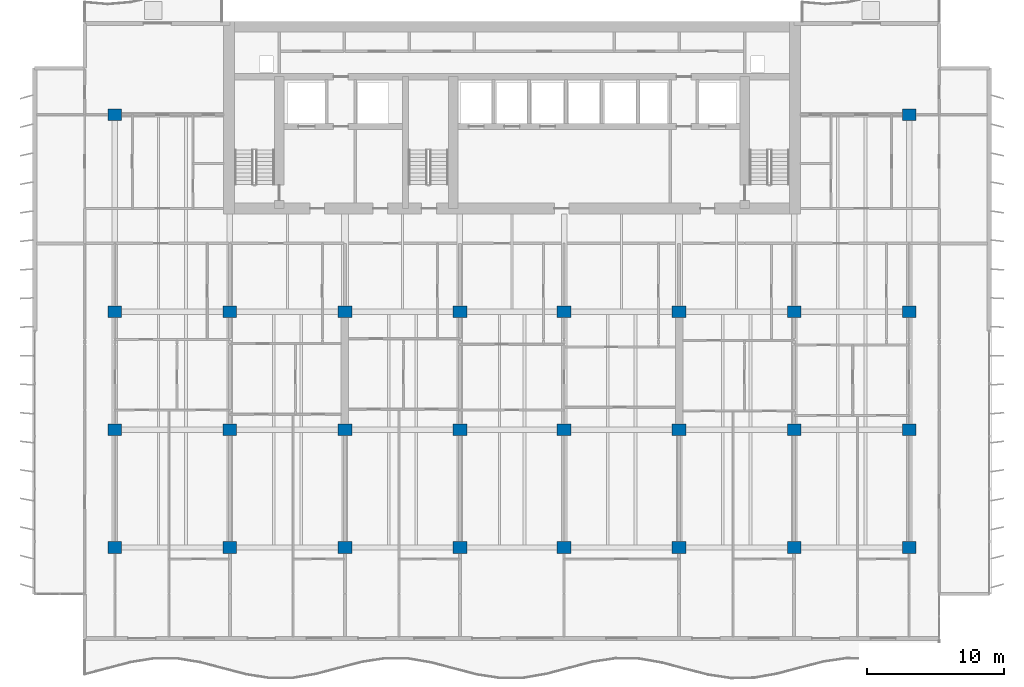
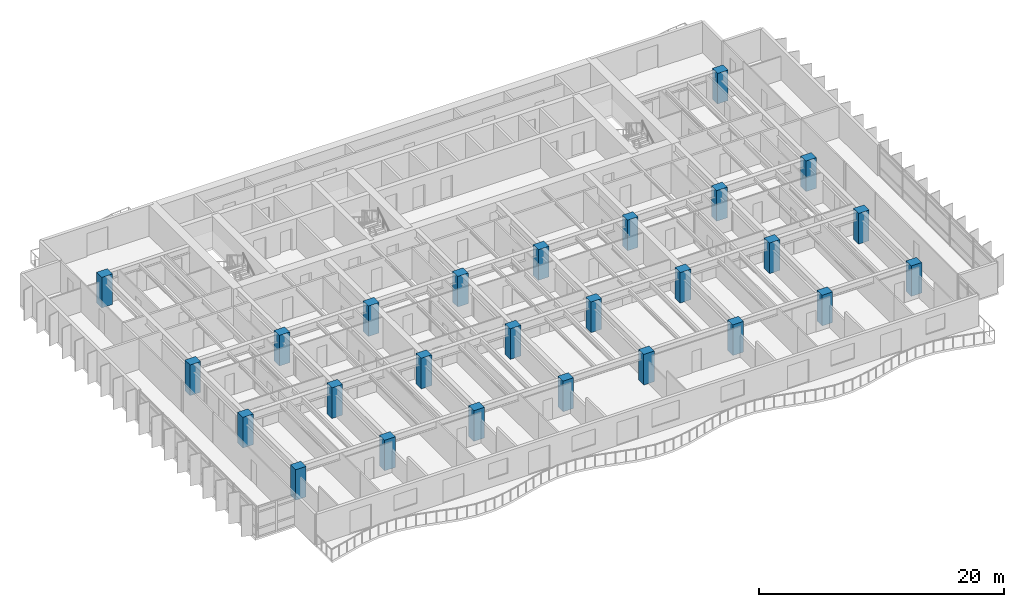
# One storey, part 1 of 17: 26 columns.
"""IFC4 building model written with IfcOpenShell, lengths in metres."""

from ifc_helpers import new_model, si_unit, direction, frame, origin, origin_2d, place, context, subcontext, project, spatial, rectangle, extrude, material, material_profile, profile_set, type_object, element, save


model = new_model("IFC4")

# Units and contexts
model_context = context("Model", 3, precision=1e-05, world=origin(), true_north=direction((0.0, 1.0)))
body_context = subcontext(model_context, "Body", "Model", "MODEL_VIEW")
ifc_project = project(units=[si_unit("LENGTHUNIT", "METRE"), si_unit("AREAUNIT", "SQUARE_METRE"), si_unit("VOLUMEUNIT", "CUBIC_METRE"), si_unit("PLANEANGLEUNIT", "RADIAN"), si_unit("MASSUNIT", "GRAM", prefix="KILO")], contexts=[model_context])

# Site, building, storey
site_placement = place(None, origin())
site = spatial("IfcSite", under=ifc_project, at=site_placement, CompositionType="ELEMENT")
building_placement = place(site_placement, origin())
building = spatial("IfcBuilding", under=site, at=building_placement, Name="Caelmar Bay Residences", CompositionType="ELEMENT")
storey_placement = place(building_placement, frame((0.0, 0.0, 87.89990234375)))
storey = spatial("IfcBuildingStorey", under=building, at=storey_placement, Name="L23", CompositionType="ELEMENT", Elevation=87.89990234375)

# Columns
ifc_material = material(Name="Concrete f'c 70 MPa (10,000 psi)", Category="concrete")
ifc_material_profile = material_profile(ifc_material, rectangle(XDim=1.0, YDim=0.85009765625, at=origin_2d()), Name="RC-COL-1000X850")
ifc_profile_set = profile_set([ifc_material_profile], Name="Concrete f'c 70 MPa (10,000 psi)")
column_type = type_object("IfcColumnType", Name="COL-RC-1000X850", PredefinedType="COLUMN", material=ifc_profile_set)
for number, where, z_axis, x_axis, name in (
    (1, (9.89990234375, 12.199951171875, 0.0), (0.0, 0.0, 1.0), (1.0, 0.0, 0.0), "L23 Column (9.90,12.20)"),
    (2, (18.300048828125, 12.199951171875, 0.0), (0.0, 0.0, 1.0), (1.0, 0.0, 0.0), "L23 Column (18.30,12.20)"),
    (3, (26.699951171875, 12.199951171875, 0.0), (0.0, 0.0, 1.0), (1.0, 0.0, 0.0), "L23 Column (26.70,12.20)"),
    (4, (35.10009765625, 12.199951171875, 0.0), (0.0, 0.0, 1.0), (1.0, 0.0, 0.0), "L23 Column (35.10,12.20)"),
    (5, (42.699951171875, 12.199951171875, 0.0), (0.0, 0.0, 1.0), (1.0, 0.0, 0.0), "L23 Column (42.70,12.20)"),
    (6, (51.10009765625, 12.199951171875, 0.0), (0.0, 0.0, 1.0), (1.0, 0.0, 0.0), "L23 Column (51.10,12.20)"),
    (7, (59.5, 12.199951171875, 0.0), (0.0, 0.0, 1.0), (1.0, 0.0, 0.0), "L23 Column (59.50,12.20)"),
    (8, (67.89990234375, 12.199951171875, 0.0), (0.0, 0.0, 1.0), (1.0, 0.0, 0.0), "L23 Column (67.90,12.20)"),
    (9, (9.89990234375, 20.800048828125, 0.0), (0.0, 0.0, 1.0), (1.0, 0.0, 0.0), "L23 Column (9.90,20.80)"),
    (10, (18.300048828125, 20.800048828125, 0.0), (0.0, 0.0, 1.0), (1.0, 0.0, 0.0), "L23 Column (18.30,20.80)"),
    (11, (26.699951171875, 20.800048828125, 0.0), (0.0, 0.0, 1.0), (1.0, 0.0, 0.0), "L23 Column (26.70,20.80)"),
    (12, (35.10009765625, 20.800048828125, 0.0), (0.0, 0.0, 1.0), (1.0, 0.0, 0.0), "L23 Column (35.10,20.80)"),
    (13, (42.699951171875, 20.800048828125, 0.0), (0.0, 0.0, 1.0), (1.0, 0.0, 0.0), "L23 Column (42.70,20.80)"),
    (14, (51.10009765625, 20.800048828125, 0.0), (0.0, 0.0, 1.0), (1.0, 0.0, 0.0), "L23 Column (51.10,20.80)"),
    (15, (59.5, 20.800048828125, 0.0), (0.0, 0.0, 1.0), (1.0, 0.0, 0.0), "L23 Column (59.50,20.80)"),
    (16, (67.89990234375, 20.800048828125, 0.0), (0.0, 0.0, 1.0), (1.0, 0.0, 0.0), "L23 Column (67.90,20.80)"),
    (17, (9.89990234375, 29.39990234375, 0.0), (0.0, 0.0, 1.0), (1.0, 0.0, 0.0), "L23 Column (9.90,29.40)"),
    (18, (18.300048828125, 29.39990234375, 0.0), (0.0, 0.0, 1.0), (1.0, 0.0, 0.0), "L23 Column (18.30,29.40)"),
    (19, (26.699951171875, 29.39990234375, 0.0), (0.0, 0.0, 1.0), (1.0, 0.0, 0.0), "L23 Column (26.70,29.40)"),
    (20, (35.10009765625, 29.39990234375, 0.0), (0.0, 0.0, 1.0), (1.0, 0.0, 0.0), "L23 Column (35.10,29.40)"),
    (21, (42.699951171875, 29.39990234375, 0.0), (0.0, 0.0, 1.0), (1.0, 0.0, 0.0), "L23 Column (42.70,29.40)"),
    (22, (51.10009765625, 29.39990234375, 0.0), (0.0, 0.0, 1.0), (1.0, 0.0, 0.0), "L23 Column (51.10,29.40)"),
    (23, (59.5, 29.39990234375, 0.0), (0.0, 0.0, 1.0), (1.0, 0.0, 0.0), "L23 Column (59.50,29.40)"),
    (24, (67.89990234375, 29.39990234375, 0.0), (0.0, 0.0, 1.0), (1.0, 0.0, 0.0), "L23 Column (67.90,29.40)"),
    (25, (9.89990234375, 43.800048828125, 0.0), (0.0, 0.0, 1.0), (1.0, 0.0, 0.0), "L23 Column (9.90,43.80)"),
    (26, (67.89990234375, 43.800048828125, 0.0), (0.0, 0.0, 1.0), (1.0, 0.0, 0.0), "L23 Column (67.90,43.80)"),
):
    element("IfcColumn", number, at=place(storey_placement, frame(where, z_axis=z_axis, x_axis=x_axis)), inside=storey, type_object=column_type, Name=name, PredefinedType="COLUMN", context=body_context, shape_type="SweptSolid", body=[
        extrude(rectangle(XDim=1.0, YDim=0.85009765625, at=origin_2d()), origin(), (0.0, 0.0, 1.0), 3.050048828125),
    ])

save(model, "model.ifc")
